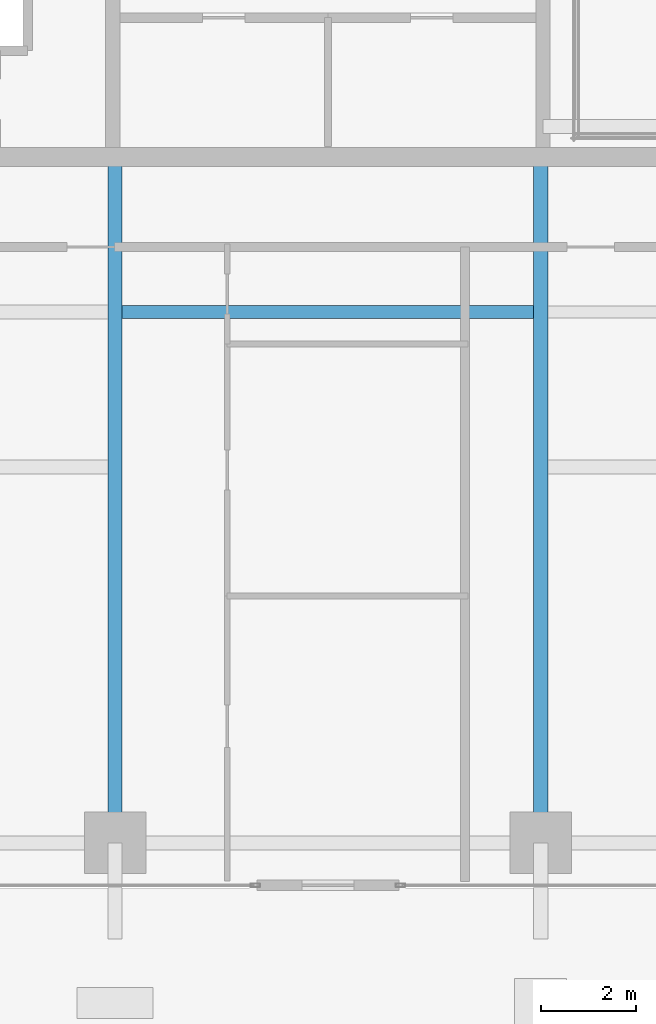
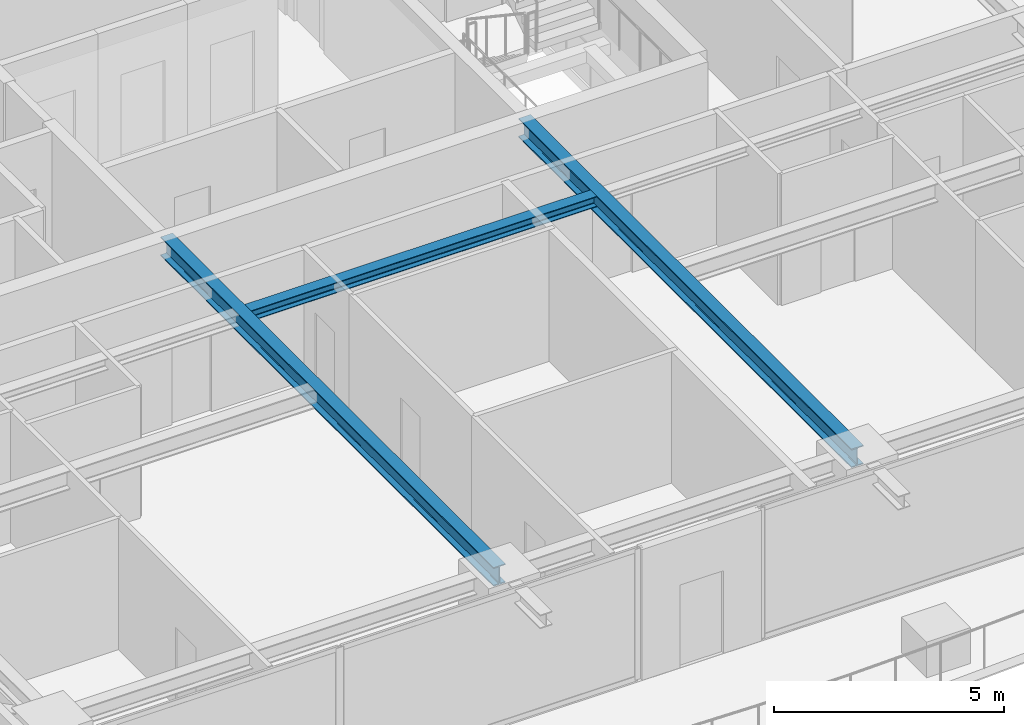
# One storey, part 6 of 38: 3 beams.
"""IFC4 building model written with IfcOpenShell, lengths in metres."""

import ifcopenshell
import ifcopenshell.guid

model = None  # the IFC model being written
_history = None  # IfcOwnerHistory: only IFC2X3 demands one
_inside = {}  # id of a spatial element -> (the spatial element, [elements in it])
_under = {}  # id of a project, library or spatial element -> (it, [spatial elements below it])
_declared = {}  # id of a project -> (the project, [libraries it declares])
_typed = {}  # id of a type object -> (the type object, [elements of that type])
_made_of = {}  # id of a material, layer set ... -> (it, [elements and type objects made of it])


def new_model(schema):
    """Start an empty IFC model of exactly this schema.

    Asked for "IFC4X3", IfcOpenShell would pick the latest addendum, in which some entities
    have other attributes; the version numbers below select the first issue.
    IFC2X3 requires an IfcOwnerHistory on every rooted entity: one is made here for all.
    """
    global model, _history
    if schema == "IFC4X3":
        model = ifcopenshell.file(schema_version=(4, 3, 0, 0))
    else:
        model = ifcopenshell.file(schema=schema)
    _inside.clear()
    _under.clear()
    _declared.clear()
    _typed.clear()
    _made_of.clear()
    _history = None
    if model.schema == "IFC2X3":
        org = make("IfcOrganization", Name="unknown")
        user = make(
            "IfcPersonAndOrganization",
            ThePerson=make("IfcPerson", FamilyName="unknown"),
            TheOrganization=org,
        )
        app = make(
            "IfcApplication",
            ApplicationDeveloper=org,
            Version="unknown",
            ApplicationFullName="unknown",
            ApplicationIdentifier="unknown",
        )
        _history = make(
            "IfcOwnerHistory",
            OwningUser=user,
            OwningApplication=app,
            ChangeAction="ADDED",
            CreationDate=0,
        )
    return model


def make(cls, **values):
    """One entity of the class cls with the attributes given. An attribute that is None is left unset."""
    return model.create_entity(
        cls, **{name: value for name, value in values.items() if value is not None}
    )


def rooted(cls, **values):
    """An entity with a GlobalId (a new one), such as an element, a storey or a relation."""
    return make(cls, GlobalId=ifcopenshell.guid.new(), OwnerHistory=_history, **values)


def si_unit(unit_type, name, prefix=None):
    """IfcSIUnit, for example si_unit("LENGTHUNIT", "METRE", prefix="MILLI")."""
    return make("IfcSIUnit", UnitType=unit_type, Prefix=prefix, Name=name)


def assignment(units):
    """IfcUnitAssignment: the units of a project."""
    return None if units is None else make("IfcUnitAssignment", Units=units)


def point(xyz):
    """IfcCartesianPoint."""
    return None if xyz is None else make("IfcCartesianPoint", Coordinates=xyz)


def direction(xyz):
    """IfcDirection."""
    return None if xyz is None else make("IfcDirection", DirectionRatios=xyz)


def frame(location, z_axis=None, x_axis=None):
    """IfcAxis2Placement3D, a coordinate frame: its origin and axes. An axis left out is left unset."""
    return make(
        "IfcAxis2Placement3D",
        Location=point(location),
        Axis=direction(z_axis),
        RefDirection=direction(x_axis),
    )


def frame_2d(location, x_axis=None):
    """IfcAxis2Placement2D, a coordinate frame in the plane: its origin and x axis."""
    return make(
        "IfcAxis2Placement2D", Location=point(location), RefDirection=direction(x_axis)
    )


def origin():
    """The frame at (0, 0, 0) with its axes left unset."""
    return frame((0.0, 0.0, 0.0))


def origin_2d():
    """The frame at (0, 0) in the plane with its x axis left unset."""
    return frame_2d((0.0, 0.0))


def place(relative_to, where):
    """IfcLocalPlacement: puts the frame where relative to a parent placement (None: the world)."""
    return make(
        "IfcLocalPlacement", PlacementRelTo=relative_to, RelativePlacement=where
    )


def context(
    kind, dimensions, precision=None, world=None, true_north=None, identifier=None
):
    """IfcGeometricRepresentationContext, for example the 3D "Model" context."""
    return make(
        "IfcGeometricRepresentationContext",
        ContextIdentifier=identifier,
        ContextType=kind,
        CoordinateSpaceDimension=dimensions,
        Precision=precision,
        WorldCoordinateSystem=world,
        TrueNorth=true_north,
    )


def subcontext(parent, identifier, kind, view, scale=None):
    """IfcGeometricRepresentationSubContext, for example "Body" below "Model"."""
    return make(
        "IfcGeometricRepresentationSubContext",
        ContextIdentifier=identifier,
        ContextType=kind,
        ParentContext=parent,
        TargetScale=scale,
        TargetView=view,
    )


def project(units=None, contexts=None):
    """IfcProject with its units and contexts."""
    return rooted(
        "IfcProject",
        Name="project",
        RepresentationContexts=contexts,
        UnitsInContext=assignment(units),
    )


def spatial(cls, under=None, at=None, **own):
    """A site, building, storey or space (cls), placed at a placement, below another one or the project."""
    s = rooted(cls, ObjectPlacement=at, **own)
    if under is not None:
        _under.setdefault(under.id(), (under, []))[1].append(s)
    return s


def profile(cls, at=None, kind="AREA", **sizes):
    """A parametric profile (cls). Its sizes go by their IFC names, for example OverallWidth=200.0."""
    return make(cls, ProfileType=kind, Position=at, **sizes)


def i_section(**sizes):
    """IfcIShapeProfileDef."""
    return profile("IfcIShapeProfileDef", **sizes)


def extrude(swept, where, along, depth):
    """IfcExtrudedAreaSolid: the profile swept, set in the frame where, extruded along a direction by depth."""
    return make(
        "IfcExtrudedAreaSolid",
        SweptArea=swept,
        Position=where,
        ExtrudedDirection=direction(along),
        Depth=depth,
    )


def shape(context_of_items, identifier, shape_type, items):
    """IfcShapeRepresentation: the items that make up one representation, for example the "Body"."""
    return make(
        "IfcShapeRepresentation",
        ContextOfItems=context_of_items,
        RepresentationIdentifier=identifier,
        RepresentationType=shape_type,
        Items=items,
    )


def source(mapping_origin, context_of_items, identifier, shape_type, items):
    """IfcRepresentationMap: a shape defined once, which mapped items show again and again."""
    return make(
        "IfcRepresentationMap",
        MappingOrigin=mapping_origin,
        MappedRepresentation=shape(context_of_items, identifier, shape_type, items),
    )


def transform(
    local_origin,
    x_axis=None,
    y_axis=None,
    z_axis=None,
    scale=None,
    scale2=None,
    scale3=None,
    uniform=True,
):
    """IfcCartesianTransformationOperator3D, or its non-uniform kind. x_axis, y_axis, z_axis: its Axis1, 2, 3."""
    if uniform:
        return make(
            "IfcCartesianTransformationOperator3D",
            Axis1=direction(x_axis),
            Axis2=direction(y_axis),
            LocalOrigin=point(local_origin),
            Scale=scale,
            Axis3=direction(z_axis),
        )
    return make(
        "IfcCartesianTransformationOperator3DnonUniform",
        Axis1=direction(x_axis),
        Axis2=direction(y_axis),
        LocalOrigin=point(local_origin),
        Scale=scale,
        Axis3=direction(z_axis),
        Scale2=scale2,
        Scale3=scale3,
    )


def mapped(mapping_source, mapping_target):
    """IfcMappedItem: shows the shape of a source again, moved by a transform."""
    return make(
        "IfcMappedItem", MappingSource=mapping_source, MappingTarget=mapping_target
    )


def material(Name=None, Category=None):
    """IfcMaterial."""
    return make("IfcMaterial", Name=Name, Category=Category)


def material_profile(
    of_material, cross_section, Name=None, Category=None, Priority=None
):
    """IfcMaterialProfile: a cross section and its material."""
    return make(
        "IfcMaterialProfile",
        Name=Name,
        Material=of_material,
        Profile=cross_section,
        Priority=Priority,
        Category=Category,
    )


def profile_set(profiles, Name=None, composite=None):
    """IfcMaterialProfileSet."""
    return make(
        "IfcMaterialProfileSet",
        Name=Name,
        MaterialProfiles=profiles,
        CompositeProfile=composite,
    )


def made_of(thing, what):
    """Note that an element or type object is made of a material, layer set ...; save() writes the relation."""
    if what is not None:
        _made_of.setdefault(what.id(), (what, []))[1].append(thing)
    return thing


def type_object(cls, material=None, **own):
    """A type object (cls), such as IfcWallType, which elements share."""
    return made_of(rooted(cls, **own), material)


def element(
    cls,
    number,
    at=None,
    inside=None,
    cuts=None,
    type_object=None,
    material=None,
    context=None,
    identifier="Body",
    shape_type=None,
    held_by="IfcProductDefinitionShape",
    body=None,
    shapes=None,
    **own,
):
    """One element of the class cls, such as IfcWall. Its Tag is "e" and its number.

    at: its placement. inside: the storey or other place that contains it. cuts: it is an
    opening in that element (IfcRelVoidsElement). A single representation is given by context,
    identifier, shape_type and body (its items); several are given by shapes. held_by: the class
    of the entity that holds the representations. save() writes the other relations.
    """
    e = rooted(cls, Tag="e%d" % number, ObjectPlacement=at, **own)
    if body is not None:
        shapes = [shape(context, identifier, shape_type, body)]
    if shapes is not None:
        e.Representation = make(held_by, Representations=shapes)
    if inside is not None:
        _inside.setdefault(inside.id(), (inside, []))[1].append(e)
    if cuts is not None:
        rooted(
            "IfcRelVoidsElement", RelatingBuildingElement=cuts, RelatedOpeningElement=e
        )
    if type_object is not None:
        _typed.setdefault(type_object.id(), (type_object, []))[1].append(e)
    return made_of(e, material)


def aggregate(whole, parts):
    """IfcRelAggregates: a whole, such as a stair, and the parts it consists of."""
    return rooted("IfcRelAggregates", RelatingObject=whole, RelatedObjects=parts)


def save(model, path):
    """Write the relations noted so far, then the file.

    IfcRelAggregates (storeys below a building ...), IfcRelContainedInSpatialStructure (elements
    in a storey), IfcRelDefinesByType, IfcRelAssociatesMaterial and IfcRelDeclares: one each for
    every whole, place, type object, material and project.
    """
    for whole, parts in _under.values():
        aggregate(whole, parts)
    for where, things in _inside.values():
        rooted(
            "IfcRelContainedInSpatialStructure",
            RelatedElements=things,
            RelatingStructure=where,
        )
    for kind, things in _typed.values():
        rooted("IfcRelDefinesByType", RelatedObjects=things, RelatingType=kind)
    for what, things in _made_of.values():
        rooted("IfcRelAssociatesMaterial", RelatedObjects=things, RelatingMaterial=what)
    for by, libraries in _declared.values():
        rooted("IfcRelDeclares", RelatingContext=by, RelatedDefinitions=libraries)
    model.write(path)


model = new_model("IFC4")

# Units and contexts
model_context = context("Model", 3, precision=1e-05, world=origin(), true_north=direction((0.0, 1.0)))
body_context = subcontext(model_context, "Body", "Model", "MODEL_VIEW")
ifc_project = project(units=[si_unit("LENGTHUNIT", "METRE"), si_unit("AREAUNIT", "SQUARE_METRE"), si_unit("VOLUMEUNIT", "CUBIC_METRE"), si_unit("PLANEANGLEUNIT", "RADIAN"), si_unit("MASSUNIT", "GRAM", prefix="KILO")], contexts=[model_context])

# Site, building, storey
site_placement = place(None, origin())
site = spatial("IfcSite", under=ifc_project, at=site_placement, CompositionType="ELEMENT")
building_placement = place(site_placement, origin())
building = spatial("IfcBuilding", under=site, at=building_placement, Name="Serunith Strait Residences", CompositionType="ELEMENT")
storey_placement = place(building_placement, frame((0.0, 0.0, 176.39990234375)))
storey = spatial("IfcBuildingStorey", under=building, at=storey_placement, Name="L44", CompositionType="ELEMENT", Elevation=176.39990234375)

# Beams
ifc_material = material(Name="Steel S355J2", Category="steel")
ifc_material_profile_1 = material_profile(ifc_material, i_section(OverallWidth=0.280029296875, OverallDepth=0.280029296875, WebThickness=0.010498046875, FlangeThickness=0.01806640625, FilletRadius=0.02392578125, at=origin_2d()), Name="HEB 280")
ifc_profile_set_1 = profile_set([ifc_material_profile_1], Name="Steel S355J2")
beam_type_1 = type_object("IfcBeamType", Name="BM-HEB280", PredefinedType="JOIST", material=ifc_profile_set_1)
shared_shape_1 = source(origin(), body_context, "Body", "SweptSolid", [
    extrude(i_section(OverallWidth=0.280029296875, OverallDepth=0.280029296875, WebThickness=0.010498046875, FlangeThickness=0.01806640625, FilletRadius=0.02392578125, at=origin_2d()), origin(), (0.0, 0.0, 1.0), 8.699951171875),
])
beam_placement = place(storey_placement, frame((28.050048828125, 13.52490234375, 3.34716796875), z_axis=(1.0, 0.0, 0.0), x_axis=(0.0, 1.0, 0.0)))
element("IfcBeam", 1, at=beam_placement, inside=storey, type_object=beam_type_1, Name="L44 Composite Floor Joist 02", PredefinedType="JOIST", context=body_context, shape_type="MappedRepresentation", body=[
    mapped(shared_shape_1, transform((0.0, 0.0, 0.0), scale=1.0)),
])
ifc_material_profile_2 = material_profile(ifc_material, i_section(OverallWidth=0.300048828125, OverallDepth=0.5, WebThickness=0.014404296875, FlangeThickness=0.028076171875, FilletRadius=0.027099609375, at=origin_2d()), Name="HEB 500")
ifc_profile_set_2 = profile_set([ifc_material_profile_2], Name="Steel S355J2")
beam_type_2 = type_object("IfcBeamType", Name="BM-HEB500", PredefinedType="BEAM", material=ifc_profile_set_2)
shared_shape_2 = source(origin(), body_context, "Body", "SweptSolid", [
    extrude(i_section(OverallWidth=0.300048828125, OverallDepth=0.5, WebThickness=0.014404296875, FlangeThickness=0.028076171875, FilletRadius=0.027099609375, at=origin_2d()), origin(), (0.0, 0.0, 1.0), 14.5),
])
for number, where, z_axis, x_axis, name in (
    (2, (27.89990234375, 16.800048828125, 3.237060546875), (0.0, -1.0, 0.0), (1.0, 0.0, 0.0), "L44 Primary Floor Girder TC-S2"),
    (3, (36.89990234375, 16.800048828125, 3.237060546875), (0.0, -1.0, 0.0), (1.0, 0.0, 0.0), "L44 Primary Floor Girder TC-S3"),
):
    element("IfcBeam", number, at=place(storey_placement, frame(where, z_axis=z_axis, x_axis=x_axis)), inside=storey, type_object=beam_type_2, Name=name, PredefinedType="BEAM", context=body_context, shape_type="MappedRepresentation", body=[
        mapped(shared_shape_2, transform((0.0, 0.0, 0.0), scale=1.0)),
    ])

save(model, "model.ifc")
